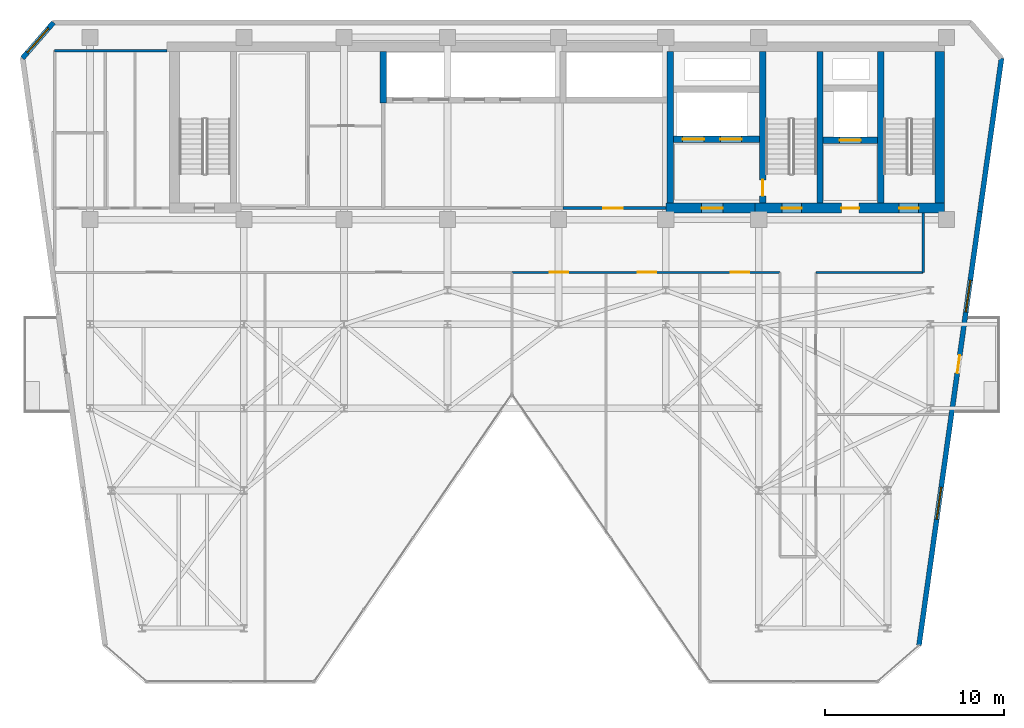
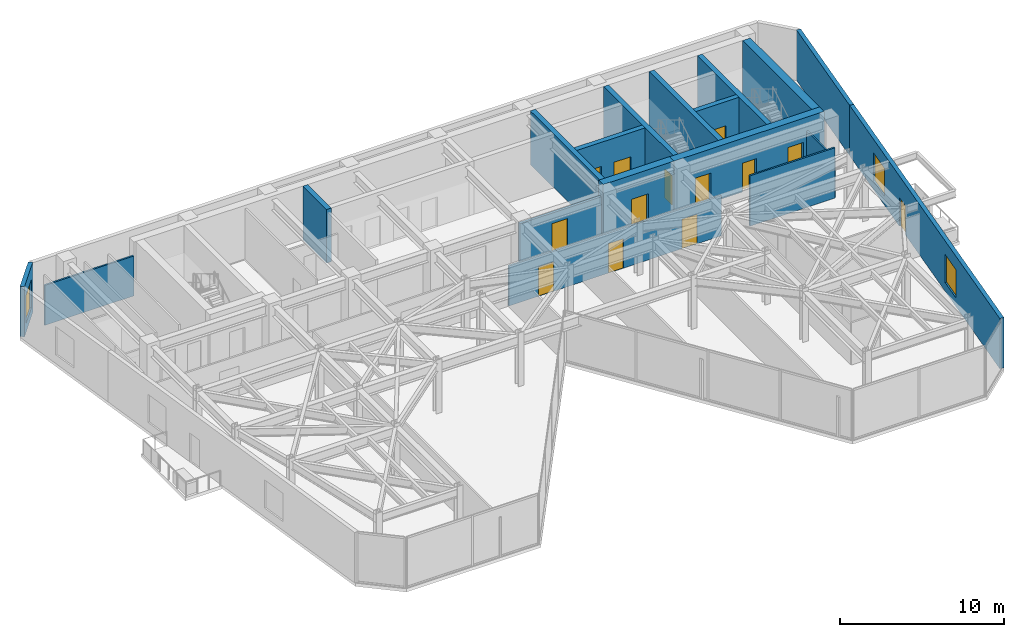
# One storey, part 17 of 21: 18 walls, 13 doors, 3 windows, 16 openings.
"""IFC4 building model written with IfcOpenShell, lengths in metres."""

from ifc_helpers import new_model, si_unit, direction, frame, frame_2d, origin, place, context, subcontext, project, spatial, rectangle, extrude, material, layer, layer_set, type_object, element, fill, save


model = new_model("IFC4")

# Units and contexts
model_context = context("Model", 3, precision=1e-05, world=origin(), true_north=direction((0.0, 1.0)))
body_context = subcontext(model_context, "Body", "Model", "MODEL_VIEW")
ifc_project = project(units=[si_unit("LENGTHUNIT", "METRE"), si_unit("AREAUNIT", "SQUARE_METRE"), si_unit("VOLUMEUNIT", "CUBIC_METRE"), si_unit("PLANEANGLEUNIT", "RADIAN"), si_unit("MASSUNIT", "GRAM", prefix="KILO")], contexts=[model_context])

# Site, building, storey
site_placement = place(None, origin())
site = spatial("IfcSite", under=ifc_project, at=site_placement, CompositionType="ELEMENT")
building_placement = place(site_placement, origin())
building = spatial("IfcBuilding", under=site, at=building_placement, Name="Kravanh Interchange Tower", CompositionType="ELEMENT")
storey_placement = place(building_placement, frame((0.0, 0.0, 200.5)))
storey = spatial("IfcBuildingStorey", under=building, at=storey_placement, Name="L48", CompositionType="ELEMENT", Elevation=200.5)

# Wall
ifc_material_1 = material(Name="Double Acoustic Gypsum Board and Mineral Wool")
ifc_layer_1 = layer(ifc_material_1, 0.1201171875)
ifc_layer_set_1 = layer_set([ifc_layer_1], Name="Acoustic Office Drywall Partition 120mm")
wall_type_1 = type_object("IfcWallType", Name="Acoustic Office Drywall Partition 120mm", PredefinedType="PARTITIONING", material=ifc_layer_set_1)
wall_1_placement = place(storey_placement, frame((16.6201171875, 46.800048828125, 0.0), z_axis=(0.0, 0.0, 1.0), x_axis=(1.0, 0.0, 0.0)))
element("IfcWall", 1, at=wall_1_placement, inside=storey, type_object=wall_type_1, Name="L48 Restroom North Enclosure 9", PredefinedType="PARTITIONING", context=body_context, shape_type="SweptSolid", body=[
    extrude(rectangle(XDim=6.27978515625, YDim=0.1201171875, at=frame_2d((3.139892578125, 0.0))), origin(), (0.0, 0.0, 1.0), 2.98193359375),
])

# Wall, openings, doors
wall_2_placement = place(storey_placement, frame((42.199951171875, 34.39990234375, 0.0), z_axis=(0.0, 0.0, 1.0), x_axis=(1.0, 0.0, 0.0)))
wall_2 = element("IfcWall", 2, at=wall_2_placement, inside=storey, type_object=wall_type_1, Name="L48 Interior Partition 14", PredefinedType="PARTITIONING", context=body_context, shape_type="SweptSolid", body=[
    extrude(rectangle(XDim=15.0, YDim=0.1201171875, at=frame_2d((7.5, 0.0))), origin(), (0.0, 0.0, 1.0), 2.98193359375),
])
opening_1_placement = place(wall_2_placement, frame((2.10009765625, 0.0, 0.0)))
opening_1 = element("IfcOpeningElement", 3, at=opening_1_placement, cuts=wall_2, Name="Opening D-105", PredefinedType="OPENING", context=body_context, shape_type="SweptSolid", body=[
    extrude(rectangle(XDim=1.050048828125, YDim=2.199951171875, at=frame_2d((0.52490234375, 1.10009765625))), frame((0.0, 0.070068359375, 0.0), z_axis=(0.0, -1.0, 0.0), x_axis=(1.0, 0.0, 0.0)), (0.0, 0.0, 1.0), 0.14013671875),
])
opening_2_placement = place(wall_2_placement, frame((7.0283203125, 0.0, 0.0)))
opening_2 = element("IfcOpeningElement", 4, at=opening_2_placement, cuts=wall_2, Name="Opening D-105", PredefinedType="OPENING", context=body_context, shape_type="SweptSolid", body=[
    extrude(rectangle(XDim=1.050048828125, YDim=2.199951171875, at=frame_2d((0.52490234375, 1.10009765625))), frame((0.0, 0.070068359375, 0.0), z_axis=(0.0, -1.0, 0.0), x_axis=(1.0, 0.0, 0.0)), (0.0, 0.0, 1.0), 0.14013671875),
])
opening_3_placement = place(wall_2_placement, frame((12.22509765625, 0.0, 0.0)))
opening_3 = element("IfcOpeningElement", 5, at=opening_3_placement, cuts=wall_2, Name="Opening D-105", PredefinedType="OPENING", context=body_context, shape_type="SweptSolid", body=[
    extrude(rectangle(XDim=1.050048828125, YDim=2.199951171875, at=frame_2d((0.52490234375, 1.10009765625))), frame((0.0, 0.070068359375, 0.0), z_axis=(0.0, -1.0, 0.0), x_axis=(1.0, 0.0, 0.0)), (0.0, 0.0, 1.0), 0.14013671875),
])
ifc_material_2 = material(Name="Acoustic Glazed Oak and Aluminium", Category="aluminium")
door_type_1 = type_object("IfcDoorType", Name="Office Workplace Door 1050x2200", OperationType="NOTDEFINED", PredefinedType="DOOR", material=ifc_material_2)
door_1_placement = place(opening_1_placement, origin())
door_1 = element("IfcDoor", 6, at=door_1_placement, inside=storey, type_object=door_type_1, Name="L48 Central Focus Study 12C Door", OperationType="SINGLE_SWING_LEFT", OverallHeight=2.199951171875, OverallWidth=1.050048828125, PredefinedType="DOOR", context=body_context, shape_type="SweptSolid", body=[
    extrude(rectangle(XDim=1.050048828125, YDim=2.199951171875, at=frame_2d((0.52490234375, 1.10009765625))), frame((0.0, 0.02490234375, 0.0), z_axis=(0.0, -1.0, 0.0), x_axis=(1.0, 0.0, 0.0)), (0.0, 0.0, 1.0), 0.050048828125),
])
fill(opening_1, door_1)
door_2_placement = place(opening_2_placement, origin())
door_2 = element("IfcDoor", 7, at=door_2_placement, inside=storey, type_object=door_type_1, Name="L48 Quiet Study 12D Door", OperationType="SINGLE_SWING_RIGHT", OverallHeight=2.199951171875, OverallWidth=1.050048828125, PredefinedType="DOOR", context=body_context, shape_type="SweptSolid", body=[
    extrude(rectangle(XDim=1.050048828125, YDim=2.199951171875, at=frame_2d((0.52490234375, 1.10009765625))), frame((0.0, 0.02490234375, 0.0), z_axis=(0.0, -1.0, 0.0), x_axis=(1.0, 0.0, 0.0)), (0.0, 0.0, 1.0), 0.050048828125),
])
fill(opening_2, door_2)
door_3_placement = place(opening_3_placement, origin())
door_3 = element("IfcDoor", 8, at=door_3_placement, inside=storey, type_object=door_type_1, Name="L48 Innovation Salon Lounge 12E Door", OperationType="SINGLE_SWING_LEFT", OverallHeight=2.199951171875, OverallWidth=1.050048828125, PredefinedType="DOOR", context=body_context, shape_type="SweptSolid", body=[
    extrude(rectangle(XDim=1.050048828125, YDim=2.199951171875, at=frame_2d((0.52490234375, 1.10009765625))), frame((0.0, 0.02490234375, 0.0), z_axis=(0.0, -1.0, 0.0), x_axis=(1.0, 0.0, 0.0)), (0.0, 0.0, 1.0), 0.050048828125),
])
fill(opening_3, door_3)

# Walls
wall_3_placement = place(storey_placement, frame((59.199951171875, 34.39990234375, 0.0), z_axis=(0.0, 0.0, 1.0), x_axis=(1.0, 0.0, 0.0)))
element("IfcWall", 9, at=wall_3_placement, inside=storey, type_object=wall_type_1, Name="L48 Interior Partition 15", PredefinedType="PARTITIONING", context=body_context, shape_type="SweptSolid", body=[
    extrude(rectangle(XDim=6.0, YDim=0.1201171875, at=frame_2d((3.0, 0.0))), origin(), (0.0, 0.0, 1.0), 3.7548828125),
])
wall_4_placement = place(storey_placement, frame((65.199951171875, 34.39990234375, 0.0), z_axis=(0.0, 0.0, 1.0), x_axis=(0.0, 1.0, 0.0)))
element("IfcWall", 10, at=wall_4_placement, inside=storey, type_object=wall_type_1, Name="L48 Interior Partition 17", PredefinedType="PARTITIONING", context=body_context, shape_type="SweptSolid", body=[
    extrude(rectangle(XDim=3.317138671875, YDim=0.1201171875, at=frame_2d((1.65869140625, 0.0))), origin(), (0.0, 0.0, 1.0), 2.98193359375),
])
ifc_material_3 = material(Name="Concrete C60/75", Category="concrete")
ifc_layer_2 = layer(ifc_material_3, 0.35009765625)
ifc_layer_set_2 = layer_set([ifc_layer_2], Name="Core Shear Wall Concrete C60/75 350mm")
wall_type_2 = type_object("IfcWallType", Name="Core Shear Wall Concrete C60/75 350mm", PredefinedType="SHEAR", material=ifc_layer_set_2)
for number, where, z_axis, x_axis, name in (
    (11, (62.824951171875, 38.27490234375, 0.0), (0.0, 0.0, 1.0), (0.0, 1.0, 0.0), "L48 Stair ST1 West Shear Wall"),
    (12, (59.425048828125, 38.27490234375, 0.0), (0.0, 0.0, 1.0), (0.0, 1.0, 0.0), "L48 Stair ST2 East Shear Wall"),
):
    element("IfcWall", number, at=place(storey_placement, frame(where, z_axis=z_axis, x_axis=x_axis)), inside=storey, type_object=wall_type_2, Name=name, PredefinedType="SHEAR", context=body_context, shape_type="SweptSolid", body=[
        extrude(rectangle(XDim=8.47509765625, YDim=0.35009765625, at=frame_2d((4.237548828125, 0.0))), origin(), (0.0, 0.0, 1.0), 4.0),
    ])

# Wall, opening, door
wall_5_placement = place(storey_placement, frame((56.22509765625, 38.27490234375, 0.0), z_axis=(0.0, 0.0, 1.0), x_axis=(0.0, 1.0, 0.0)))
wall_5 = element("IfcWall", 13, at=wall_5_placement, inside=storey, type_object=wall_type_2, Name="L48 Stair ST2 West Shear Wall", PredefinedType="SHEAR", context=body_context, shape_type="SweptSolid", body=[
    extrude(rectangle(XDim=8.47509765625, YDim=0.35009765625, at=frame_2d((4.237548828125, 0.0))), origin(), (0.0, 0.0, 1.0), 4.0),
])
opening_4_placement = place(wall_5_placement, frame((0.405029296875, 0.0, 0.0)))
opening_4 = element("IfcOpeningElement", 14, at=opening_4_placement, cuts=wall_5, Name="Opening D-STAIR-90", PredefinedType="OPENING", context=body_context, shape_type="SweptSolid", body=[
    extrude(rectangle(XDim=0.89990234375, YDim=2.14990234375, at=frame_2d((0.449951171875, 1.074951171875))), frame((0.0, 0.18505859375, 0.0), z_axis=(0.0, -1.0, 0.0), x_axis=(1.0, 0.0, 0.0)), (0.0, 0.0, 1.0), 0.3701171875),
])
ifc_material_4 = material(Name="Structural Steel S355", Category="steel")
door_type_2 = type_object("IfcDoorType", Name="Fire-Rated Stair Lobby Door 900x2150", OperationType="NOTDEFINED", PredefinedType="DOOR", material=ifc_material_4)
door_4_placement = place(opening_4_placement, origin())
door_4 = element("IfcDoor", 15, at=door_4_placement, inside=storey, type_object=door_type_2, Name="L48 Firefighting Lobby to Stair ST2 Door", OperationType="SINGLE_SWING_LEFT", OverallHeight=2.14990234375, OverallWidth=0.89990234375, PredefinedType="DOOR", context=body_context, shape_type="SweptSolid", body=[
    extrude(rectangle(XDim=0.89990234375, YDim=2.14990234375, at=frame_2d((0.449951171875, 1.074951171875))), frame((0.0, 0.02490234375, 0.0), z_axis=(0.0, -1.0, 0.0), x_axis=(1.0, 0.0, 0.0)), (0.0, 0.0, 1.0), 0.050048828125),
])
fill(opening_4, door_4)

wall_6_placement = place(storey_placement, frame((59.60009765625, 41.800048828125, 0.0), z_axis=(0.0, 0.0, 1.0), x_axis=(1.0, 0.0, 0.0)))
wall_6 = element("IfcWall", 16, at=wall_6_placement, inside=storey, type_object=wall_type_2, Name="L48 Service Lift Shaft South Wall", PredefinedType="SHEAR", context=body_context, shape_type="SweptSolid", body=[
    extrude(rectangle(XDim=3.0498046875, YDim=0.35009765625, at=frame_2d((1.52490234375, 0.0))), origin(), (0.0, 0.0, 1.0), 4.0),
])
opening_5_placement = place(wall_6_placement, frame((0.919921875, 0.0, 0.0)))
opening_5 = element("IfcOpeningElement", 17, at=opening_5_placement, cuts=wall_6, Name="Opening LD02", PredefinedType="OPENING", context=body_context, shape_type="SweptSolid", body=[
    extrude(rectangle(XDim=1.199951171875, YDim=2.199951171875, at=frame_2d((0.60009765625, 1.10009765625))), frame((0.0, 0.18505859375, 0.0), z_axis=(0.0, -1.0, 0.0), x_axis=(1.0, 0.0, 0.0)), (0.0, 0.0, 1.0), 0.3701171875),
])
ifc_material_5 = material(Name="Stainless Steel 316", Category="steel")
door_type_3 = type_object("IfcDoorType", Name="Fire and Service Lift Sliding Landing Door 1200x2200", OperationType="DOUBLE_DOOR_SLIDING", PredefinedType="DOOR", material=ifc_material_5)
door_5_placement = place(opening_5_placement, origin())
door_5 = element("IfcDoor", 18, at=door_5_placement, inside=storey, type_object=door_type_3, Name="L48 Lift LS-01 Landing Door", OperationType="DOUBLE_DOOR_SLIDING", OverallHeight=2.199951171875, OverallWidth=1.199951171875, PredefinedType="DOOR", context=body_context, shape_type="SweptSolid", body=[
    extrude(rectangle(XDim=1.199951171875, YDim=2.199951171875, at=frame_2d((0.60009765625, 1.10009765625))), frame((0.0, 0.02490234375, 0.0), z_axis=(0.0, -1.0, 0.0), x_axis=(1.0, 0.0, 0.0)), (0.0, 0.0, 1.0), 0.050048828125),
])
fill(opening_5, door_5)

# Wall, openings, doors
wall_7_placement = place(storey_placement, frame((51.22509765625, 41.85009765625, 0.0), z_axis=(0.0, 0.0, 1.0), x_axis=(1.0, 0.0, 0.0)))
wall_7 = element("IfcWall", 19, at=wall_7_placement, inside=storey, type_object=wall_type_2, Name="L48 Fire Lift Shaft South Wall", PredefinedType="SHEAR", context=body_context, shape_type="SweptSolid", body=[
    extrude(rectangle(XDim=4.824951171875, YDim=0.35009765625, at=frame_2d((2.41259765625, 0.0))), origin(), (0.0, 0.0, 1.0), 4.0),
])
opening_6_placement = place(wall_7_placement, frame((0.52490234375, 0.0, 0.0)))
opening_6 = element("IfcOpeningElement", 20, at=opening_6_placement, cuts=wall_7, Name="Opening LD02", PredefinedType="OPENING", context=body_context, shape_type="SweptSolid", body=[
    extrude(rectangle(XDim=1.199951171875, YDim=2.199951171875, at=frame_2d((0.60009765625, 1.10009765625))), frame((0.0, 0.18505859375, 0.0), z_axis=(0.0, -1.0, 0.0), x_axis=(1.0, 0.0, 0.0)), (0.0, 0.0, 1.0), 0.3701171875),
])
opening_7_placement = place(wall_7_placement, frame((2.625, 0.0, 0.0)))
opening_7 = element("IfcOpeningElement", 21, at=opening_7_placement, cuts=wall_7, Name="Opening LD02", PredefinedType="OPENING", context=body_context, shape_type="SweptSolid", body=[
    extrude(rectangle(XDim=1.199951171875, YDim=2.199951171875, at=frame_2d((0.60009765625, 1.10009765625))), frame((0.0, 0.18505859375, 0.0), z_axis=(0.0, -1.0, 0.0), x_axis=(1.0, 0.0, 0.0)), (0.0, 0.0, 1.0), 0.3701171875),
])
door_6_placement = place(opening_6_placement, origin())
door_6 = element("IfcDoor", 22, at=door_6_placement, inside=storey, type_object=door_type_3, Name="L48 Lift FSAE-01 Landing Door", OperationType="DOUBLE_DOOR_SLIDING", OverallHeight=2.199951171875, OverallWidth=1.199951171875, PredefinedType="DOOR", context=body_context, shape_type="SweptSolid", body=[
    extrude(rectangle(XDim=1.199951171875, YDim=2.199951171875, at=frame_2d((0.60009765625, 1.10009765625))), frame((0.0, 0.02490234375, 0.0), z_axis=(0.0, -1.0, 0.0), x_axis=(1.0, 0.0, 0.0)), (0.0, 0.0, 1.0), 0.050048828125),
])
fill(opening_6, door_6)
door_7_placement = place(opening_7_placement, origin())
door_7 = element("IfcDoor", 23, at=door_7_placement, inside=storey, type_object=door_type_3, Name="L48 Lift FSAE-02 Landing Door", OperationType="DOUBLE_DOOR_SLIDING", OverallHeight=2.199951171875, OverallWidth=1.199951171875, PredefinedType="DOOR", context=body_context, shape_type="SweptSolid", body=[
    extrude(rectangle(XDim=1.199951171875, YDim=2.199951171875, at=frame_2d((0.60009765625, 1.10009765625))), frame((0.0, 0.02490234375, 0.0), z_axis=(0.0, -1.0, 0.0), x_axis=(1.0, 0.0, 0.0)), (0.0, 0.0, 1.0), 0.050048828125),
])
fill(opening_7, door_7)

# Walls
wall_8_placement = place(storey_placement, frame((51.050048828125, 38.27490234375, 0.0), z_axis=(0.0, 0.0, 1.0), x_axis=(0.0, 1.0, 0.0)))
element("IfcWall", 24, at=wall_8_placement, inside=storey, type_object=wall_type_2, Name="L48 Firefighting Lobby West Wall", PredefinedType="SHEAR", context=body_context, shape_type="SweptSolid", body=[
    extrude(rectangle(XDim=8.47509765625, YDim=0.35009765625, at=frame_2d((4.237548828125, 0.0))), origin(), (0.0, 0.0, 1.0), 4.0),
])
wall_9_placement = place(storey_placement, frame((35.0, 43.875, 0.0), z_axis=(0.0, 0.0, 1.0), x_axis=(0.0, 1.0, 0.0)))
element("IfcWall", 25, at=wall_9_placement, inside=storey, type_object=wall_type_2, Name="L48 Mid-Rise Lift Shaft West Wall", PredefinedType="SHEAR", context=body_context, shape_type="SweptSolid", body=[
    extrude(rectangle(XDim=2.875, YDim=0.35009765625, at=frame_2d((1.4375, 0.0))), origin(), (0.0, 0.0, 1.0), 4.0),
])

# Wall, openings, doors
ifc_material_6 = material(Name="Concrete C70/85", Category="concrete")
ifc_layer_3 = layer(ifc_material_6, 0.550048828125)
ifc_layer_set_3 = layer_set([ifc_layer_3], Name="Core Shear Wall Concrete C70/85 550mm")
wall_type_3 = type_object("IfcWallType", Name="Core Shear Wall Concrete C70/85 550mm", PredefinedType="SHEAR", material=ifc_layer_set_3)
wall_10_placement = place(storey_placement, frame((55.800048828125, 38.0, 0.0), z_axis=(0.0, 0.0, 1.0), x_axis=(1.0, 0.0, 0.0)))
wall_10 = element("IfcWall", 26, at=wall_10_placement, inside=storey, type_object=wall_type_3, Name="L48 East Core South Shear Wall", PredefinedType="SHEAR", context=body_context, shape_type="SweptSolid", body=[
    extrude(rectangle(XDim=10.599853515625, YDim=0.550048828125, at=frame_2d((5.2998046875, 0.0))), origin(), (0.0, 0.0, 1.0), 4.0),
])
opening_8_placement = place(wall_10_placement, frame((1.5, 0.0, 0.0)))
opening_8 = element("IfcOpeningElement", 27, at=opening_8_placement, cuts=wall_10, Name="Opening D-STAIR-110", PredefinedType="OPENING", context=body_context, shape_type="SweptSolid", body=[
    extrude(rectangle(XDim=1.10009765625, YDim=2.199951171875, at=frame_2d((0.550048828125, 1.10009765625))), frame((0.0, 0.28515625, 0.0), z_axis=(0.0, -1.0, 0.0), x_axis=(1.0, 0.0, 0.0)), (0.0, 0.0, 1.0), 0.570068359375),
])
opening_9_placement = place(wall_10_placement, frame((4.820068359375, 0.0, 0.0)))
opening_9 = element("IfcOpeningElement", 28, at=opening_9_placement, cuts=wall_10, Name="Opening D-HOTEL-100", PredefinedType="OPENING", context=body_context, shape_type="SweptSolid", body=[
    extrude(rectangle(XDim=1.0, YDim=2.14990234375, at=frame_2d((0.5, 1.074951171875))), frame((0.0, 0.28515625, 0.0), z_axis=(0.0, -1.0, 0.0), x_axis=(1.0, 0.0, 0.0)), (0.0, 0.0, 1.0), 0.570068359375),
])
opening_10_placement = place(wall_10_placement, frame((8.050048828125, 0.0, 0.0)))
opening_10 = element("IfcOpeningElement", 29, at=opening_10_placement, cuts=wall_10, Name="Opening D-STAIR-110", PredefinedType="OPENING", context=body_context, shape_type="SweptSolid", body=[
    extrude(rectangle(XDim=1.10009765625, YDim=2.199951171875, at=frame_2d((0.550048828125, 1.10009765625))), frame((0.0, 0.28515625, 0.0), z_axis=(0.0, -1.0, 0.0), x_axis=(1.0, 0.0, 0.0)), (0.0, 0.0, 1.0), 0.570068359375),
])
ifc_material_7 = material(Name="Structural Steel S355", Category="steel")
door_type_4 = type_object("IfcDoorType", Name="Fire-Rated Exit Stair Door 1100x2200", OperationType="NOTDEFINED", PredefinedType="DOOR", material=ifc_material_7)
door_8_placement = place(opening_8_placement, origin())
door_8 = element("IfcDoor", 30, at=door_8_placement, inside=storey, type_object=door_type_4, Name="L48 Exit Stair ST2 Door", OperationType="SINGLE_SWING_RIGHT", OverallHeight=2.199951171875, OverallWidth=1.10009765625, PredefinedType="DOOR", context=body_context, shape_type="SweptSolid", body=[
    extrude(rectangle(XDim=1.10009765625, YDim=2.199951171875, at=frame_2d((0.550048828125, 1.10009765625))), frame((0.0, 0.02490234375, 0.0), z_axis=(0.0, -1.0, 0.0), x_axis=(1.0, 0.0, 0.0)), (0.0, 0.0, 1.0), 0.050048828125),
])
fill(opening_8, door_8)
door_9_placement = place(opening_10_placement, origin())
door_9 = element("IfcDoor", 31, at=door_9_placement, inside=storey, type_object=door_type_4, Name="L48 Exit Stair ST1 Door", OperationType="SINGLE_SWING_RIGHT", OverallHeight=2.199951171875, OverallWidth=1.10009765625, PredefinedType="DOOR", context=body_context, shape_type="SweptSolid", body=[
    extrude(rectangle(XDim=1.10009765625, YDim=2.199951171875, at=frame_2d((0.550048828125, 1.10009765625))), frame((0.0, 0.02490234375, 0.0), z_axis=(0.0, -1.0, 0.0), x_axis=(1.0, 0.0, 0.0)), (0.0, 0.0, 1.0), 0.050048828125),
])
fill(opening_10, door_9)
ifc_material_8 = material(Name="Fire-Rated Solid Timber Leaf", Category="wood")
door_type_5 = type_object("IfcDoorType", Name="Fire-Rated Suite Entrance Door 1000x2150", OperationType="NOTDEFINED", PredefinedType="DOOR", material=ifc_material_8)
door_10_placement = place(opening_9_placement, origin())
door_10 = element("IfcDoor", 32, at=door_10_placement, inside=storey, type_object=door_type_5, Name="L48 Service Lift Lobby Door", OperationType="SINGLE_SWING_RIGHT", OverallHeight=2.14990234375, OverallWidth=1.0, PredefinedType="DOOR", context=body_context, shape_type="SweptSolid", body=[
    extrude(rectangle(XDim=1.0, YDim=2.14990234375, at=frame_2d((0.5, 1.074951171875))), frame((0.0, 0.02490234375, 0.0), z_axis=(0.0, -1.0, 0.0), x_axis=(1.0, 0.0, 0.0)), (0.0, 0.0, 1.0), 0.050048828125),
])
fill(opening_9, door_10)

# Wall
wall_11_placement = place(storey_placement, frame((66.125, 38.27490234375, 0.0), z_axis=(0.0, 0.0, 1.0), x_axis=(0.0, 1.0, 0.0)))
element("IfcWall", 33, at=wall_11_placement, inside=storey, type_object=wall_type_3, Name="L48 Stair ST1 East Shear Wall", PredefinedType="SHEAR", context=body_context, shape_type="SweptSolid", body=[
    extrude(rectangle(XDim=8.47509765625, YDim=0.550048828125, at=frame_2d((4.237548828125, 0.0))), origin(), (0.0, 0.0, 1.0), 4.0),
])

# Wall, opening, door
wall_12_placement = place(storey_placement, frame((50.800048828125, 38.0, 0.0), z_axis=(0.0, 0.0, 1.0), x_axis=(1.0, 0.0, 0.0)))
wall_12 = element("IfcWall", 34, at=wall_12_placement, inside=storey, type_object=wall_type_3, Name="L48 Firefighting Lobby South Shear Wall", PredefinedType="SHEAR", context=body_context, shape_type="SweptSolid", body=[
    extrude(rectangle(XDim=5.0, YDim=0.550048828125, at=frame_2d((2.5, 0.0))), origin(), (0.0, 0.0, 1.0), 4.0),
])
opening_11_placement = place(wall_12_placement, frame((2.0, 0.0, 0.0)))
opening_11 = element("IfcOpeningElement", 35, at=opening_11_placement, cuts=wall_12, Name="Opening D-FSAE-120", PredefinedType="OPENING", context=body_context, shape_type="SweptSolid", body=[
    extrude(rectangle(XDim=1.199951171875, YDim=2.199951171875, at=frame_2d((0.60009765625, 1.10009765625))), frame((0.0, 0.28515625, 0.0), z_axis=(0.0, -1.0, 0.0), x_axis=(1.0, 0.0, 0.0)), (0.0, 0.0, 1.0), 0.570068359375),
])
ifc_material_9 = material(Name="Structural Steel S355", Category="steel")
door_type_6 = type_object("IfcDoorType", Name="Fire-Rated Refuge and FSAE Door 1200x2200", OperationType="NOTDEFINED", PredefinedType="DOOR", material=ifc_material_9)
door_11_placement = place(opening_11_placement, origin())
door_11 = element("IfcDoor", 36, at=door_11_placement, inside=storey, type_object=door_type_6, Name="L48 Firefighting Lobby Corridor Door", OperationType="SINGLE_SWING_RIGHT", OverallHeight=2.199951171875, OverallWidth=1.199951171875, PredefinedType="DOOR", context=body_context, shape_type="SweptSolid", body=[
    extrude(rectangle(XDim=1.199951171875, YDim=2.199951171875, at=frame_2d((0.60009765625, 1.10009765625))), frame((0.0, 0.02490234375, 0.0), z_axis=(0.0, -1.0, 0.0), x_axis=(1.0, 0.0, 0.0)), (0.0, 0.0, 1.0), 0.050048828125),
])
fill(opening_11, door_11)

# Wall, opening, window
ifc_material_10 = material(Name="Insulated Precast Concrete C40/50 with Bronze Cladding", Category="concrete")
ifc_layer_4 = layer(ifc_material_10, 0.280029296875)
ifc_layer_set_4 = layer_set([ifc_layer_4], Name="Exterior Insulated Concrete C40/50 Bronze Spandrel Wall 280mm")
wall_type_4 = type_object("IfcWallType", Name="Exterior Insulated Concrete C40/50 Bronze Spandrel Wall 280mm", PredefinedType="STANDARD", material=ifc_layer_set_4)
wall_13_placement = place(storey_placement, frame((14.818603515625, 46.3828125, 0.0), z_axis=(0.0, 0.0, 1.0), x_axis=(0.656071351282, 0.754698868442, 0.0)))
wall_13 = element("IfcWall", 37, at=wall_13_placement, inside=storey, type_object=wall_type_4, Name="L48 Exterior Wall 3", PredefinedType="STANDARD", context=body_context, shape_type="SweptSolid", body=[
    extrude(rectangle(XDim=2.646240234375, YDim=0.280029296875, at=frame_2d((1.3232421875, 0.0))), origin(), (0.0, 0.0, 1.0), 3.7548828125),
])
opening_12_placement = place(wall_13_placement, frame((0.41552734375, 0.0, 0.64990234375)))
opening_12 = element("IfcOpeningElement", 38, at=opening_12_placement, cuts=wall_13, Name="Opening WN-180X210", PredefinedType="OPENING", context=body_context, shape_type="SweptSolid", body=[
    extrude(rectangle(XDim=1.800048828125, YDim=2.10009765625, at=frame_2d((0.89990234375, 1.050048828125))), frame((0.0, 0.14990234375, 0.0), z_axis=(0.0, -1.0, 0.0), x_axis=(1.0, 0.0, 0.0)), (0.0, 0.0, 1.0), 0.300048828125),
])
ifc_material_11 = material(Name="Thermally Broken Bronze Aluminium and Low-E Glass", Category="aluminium")
window_type = type_object("IfcWindowType", Name="Tower Pier Window 1800x2100", PartitioningType="SINGLE_PANEL", PredefinedType="WINDOW", material=ifc_material_11)
window_1_placement = place(opening_12_placement, origin())
window_1 = element("IfcWindow", 39, at=window_1_placement, inside=storey, type_object=window_type, Name="L48 Corner Window 3", OverallHeight=2.10009765625, OverallWidth=1.800048828125, PartitioningType="SINGLE_PANEL", PredefinedType="WINDOW", context=body_context, shape_type="SweptSolid", body=[
    extrude(rectangle(XDim=1.800048828125, YDim=2.10009765625, at=frame_2d((0.89990234375, 1.050048828125))), frame((0.0, 0.030029296875, 0.0), z_axis=(0.0, -1.0, 0.0), x_axis=(1.0, 0.0, 0.0)), (0.0, 0.0, 1.0), 0.06005859375),
])
fill(opening_12, window_1)

# Wall
wall_14_placement = place(storey_placement, frame((69.581298828125, 46.3828125, 0.0), z_axis=(0.0, 0.0, 1.0), x_axis=(-0.13918102754, -0.990266954701, 0.0)))
element("IfcWall", 40, at=wall_14_placement, inside=storey, type_object=wall_type_4, Name="L48 Exterior Wall 6", PredefinedType="STANDARD", context=body_context, shape_type="SweptSolid", body=[
    extrude(rectangle(XDim=8.667236328125, YDim=0.280029296875, at=frame_2d((4.33349609375, 0.0))), origin(), (0.0, 0.0, 1.0), 3.7548828125),
])

# Wall, openings, door, windows
wall_15_placement = place(storey_placement, frame((68.375, 37.800048828125, 0.0), z_axis=(0.0, 0.0, 1.0), x_axis=(-0.139173290738, -0.99026804207, 0.0)))
wall_15 = element("IfcWall", 41, at=wall_15_placement, inside=storey, type_object=wall_type_4, Name="L48 Exterior Wall 7", PredefinedType="STANDARD", context=body_context, shape_type="SweptSolid", body=[
    extrude(rectangle(XDim=24.497802734375, YDim=0.280029296875, at=frame_2d((12.2490234375, 0.0))), origin(), (0.0, 0.0, 1.0), 3.7548828125),
])
opening_13_placement = place(wall_15_placement, frame((8.1171875, 0.0, 0.0)))
opening_13 = element("IfcOpeningElement", 42, at=opening_13_placement, cuts=wall_15, Name="Opening ED-BAL100", PredefinedType="OPENING", context=body_context, shape_type="SweptSolid", body=[
    extrude(rectangle(XDim=1.0, YDim=2.14990234375, at=frame_2d((0.5, 1.074951171875))), frame((0.0, 0.14990234375, 0.0), z_axis=(0.0, -1.0, 0.0), x_axis=(1.0, 0.0, 0.0)), (0.0, 0.0, 1.0), 0.300048828125),
])
opening_14_placement = place(wall_15_placement, frame((3.869140625, 0.0, 0.64990234375)))
opening_14 = element("IfcOpeningElement", 43, at=opening_14_placement, cuts=wall_15, Name="Opening WN-180X210", PredefinedType="OPENING", context=body_context, shape_type="SweptSolid", body=[
    extrude(rectangle(XDim=1.800048828125, YDim=2.10009765625, at=frame_2d((0.89990234375, 1.050048828125))), frame((0.0, 0.14990234375, 0.0), z_axis=(0.0, -1.0, 0.0), x_axis=(1.0, 0.0, 0.0)), (0.0, 0.0, 1.0), 0.300048828125),
])
opening_15_placement = place(wall_15_placement, frame((15.5712890625, 0.0, 0.64990234375)))
opening_15 = element("IfcOpeningElement", 44, at=opening_15_placement, cuts=wall_15, Name="Opening WN-180X210", PredefinedType="OPENING", context=body_context, shape_type="SweptSolid", body=[
    extrude(rectangle(XDim=1.800048828125, YDim=2.10009765625, at=frame_2d((0.89990234375, 1.050048828125))), frame((0.0, 0.14990234375, 0.0), z_axis=(0.0, -1.0, 0.0), x_axis=(1.0, 0.0, 0.0)), (0.0, 0.0, 1.0), 0.300048828125),
])
ifc_material_12 = material(Name="Thermally Broken Bronze Aluminium and Laminated Glass", Category="aluminium")
door_type_7 = type_object("IfcDoorType", Name="Balcony Glazed Door 1000x2150", OperationType="NOTDEFINED", PredefinedType="DOOR", material=ifc_material_12)
door_12_placement = place(opening_13_placement, origin())
door_12 = element("IfcDoor", 45, at=door_12_placement, inside=storey, type_object=door_type_7, Name="L48 E Tree Balcony Access Door", OperationType="SINGLE_SWING_LEFT", OverallHeight=2.14990234375, OverallWidth=1.0, PredefinedType="DOOR", context=body_context, shape_type="SweptSolid", body=[
    extrude(rectangle(XDim=1.0, YDim=2.14990234375, at=frame_2d((0.5, 1.074951171875))), frame((0.0, 0.02490234375, 0.0), z_axis=(0.0, -1.0, 0.0), x_axis=(1.0, 0.0, 0.0)), (0.0, 0.0, 1.0), 0.050048828125),
])
fill(opening_13, door_12)
window_2_placement = place(opening_14_placement, origin())
window_2 = element("IfcWindow", 46, at=window_2_placement, inside=storey, type_object=window_type, Name="L48 Facade Window 7A", OverallHeight=2.10009765625, OverallWidth=1.800048828125, PartitioningType="SINGLE_PANEL", PredefinedType="WINDOW", context=body_context, shape_type="SweptSolid", body=[
    extrude(rectangle(XDim=1.800048828125, YDim=2.10009765625, at=frame_2d((0.89990234375, 1.050048828125))), frame((0.0, 0.030029296875, 0.0), z_axis=(0.0, -1.0, 0.0), x_axis=(1.0, 0.0, 0.0)), (0.0, 0.0, 1.0), 0.06005859375),
])
fill(opening_14, window_2)
window_3_placement = place(opening_15_placement, origin())
window_3 = element("IfcWindow", 47, at=window_3_placement, inside=storey, type_object=window_type, Name="L48 Facade Window 7B", OverallHeight=2.10009765625, OverallWidth=1.800048828125, PartitioningType="SINGLE_PANEL", PredefinedType="WINDOW", context=body_context, shape_type="SweptSolid", body=[
    extrude(rectangle(XDim=1.800048828125, YDim=2.10009765625, at=frame_2d((0.89990234375, 1.050048828125))), frame((0.0, 0.030029296875, 0.0), z_axis=(0.0, -1.0, 0.0), x_axis=(1.0, 0.0, 0.0)), (0.0, 0.0, 1.0), 0.06005859375),
])
fill(opening_15, window_3)

# Wall, opening, door
ifc_material_13 = material(Name="Autoclaved Aerated Concrete C30/37 Blockwork", Category="masonry")
ifc_layer_5 = layer(ifc_material_13, 0.179931640625)
ifc_layer_set_5 = layer_set([ifc_layer_5], Name="Fire-Rated Lobby and Corridor Wall Concrete C30/37 180mm")
wall_type_5 = type_object("IfcWallType", Name="Fire-Rated Lobby and Corridor Wall Concrete C30/37 180mm", PredefinedType="STANDARD", material=ifc_layer_set_5)
wall_16_placement = place(storey_placement, frame((45.050048828125, 38.0, 0.0), z_axis=(0.0, 0.0, 1.0), x_axis=(1.0, 0.0, 0.0)))
wall_16 = element("IfcWall", 48, at=wall_16_placement, inside=storey, type_object=wall_type_5, Name="L48 Core South Enclosure 1", PredefinedType="STANDARD", context=body_context, shape_type="SweptSolid", body=[
    extrude(rectangle(XDim=5.75, YDim=0.179931640625, at=frame_2d((2.875, 0.0))), origin(), (0.0, 0.0, 1.0), 2.98193359375),
])
opening_16_placement = place(wall_16_placement, frame((2.240478515625, 0.0, 0.0)))
opening_16 = element("IfcOpeningElement", 49, at=opening_16_placement, cuts=wall_16, Name="Opening D-SHAFT-110", PredefinedType="OPENING", context=body_context, shape_type="SweptSolid", body=[
    extrude(rectangle(XDim=1.10009765625, YDim=2.199951171875, at=frame_2d((0.550048828125, 1.10009765625))), frame((0.0, 0.10009765625, 0.0), z_axis=(0.0, -1.0, 0.0), x_axis=(1.0, 0.0, 0.0)), (0.0, 0.0, 1.0), 0.199951171875),
])
ifc_material_14 = material(Name="Fire-Rated Composite Timber Leaf", Category="wood")
door_type_8 = type_object("IfcDoorType", Name="Fire-Rated Core Support Door 1100x2200", OperationType="NOTDEFINED", PredefinedType="DOOR", material=ifc_material_14)
door_13_placement = place(opening_16_placement, origin())
door_13 = element("IfcDoor", 50, at=door_13_placement, inside=storey, type_object=door_type_8, Name="L48 Core AHU Fan Room Door", OperationType="SINGLE_SWING_RIGHT", OverallHeight=2.199951171875, OverallWidth=1.10009765625, PredefinedType="DOOR", context=body_context, shape_type="SweptSolid", body=[
    extrude(rectangle(XDim=1.10009765625, YDim=2.199951171875, at=frame_2d((0.550048828125, 1.10009765625))), frame((0.0, 0.02490234375, 0.0), z_axis=(0.0, -1.0, 0.0), x_axis=(1.0, 0.0, 0.0)), (0.0, 0.0, 1.0), 0.050048828125),
])
fill(opening_16, door_13)

save(model, "model.ifc")
